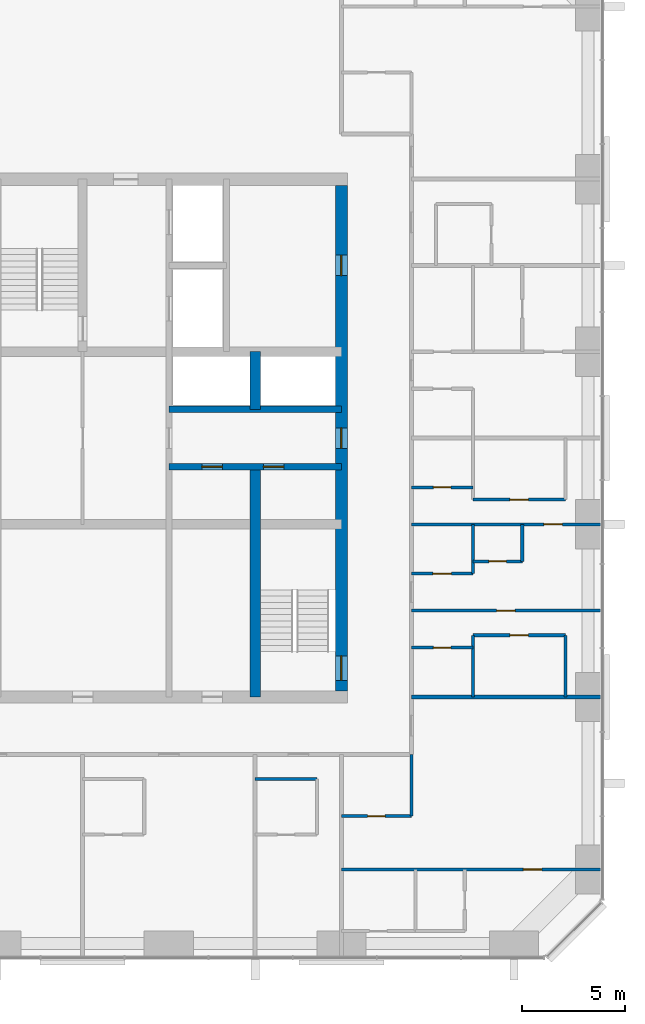
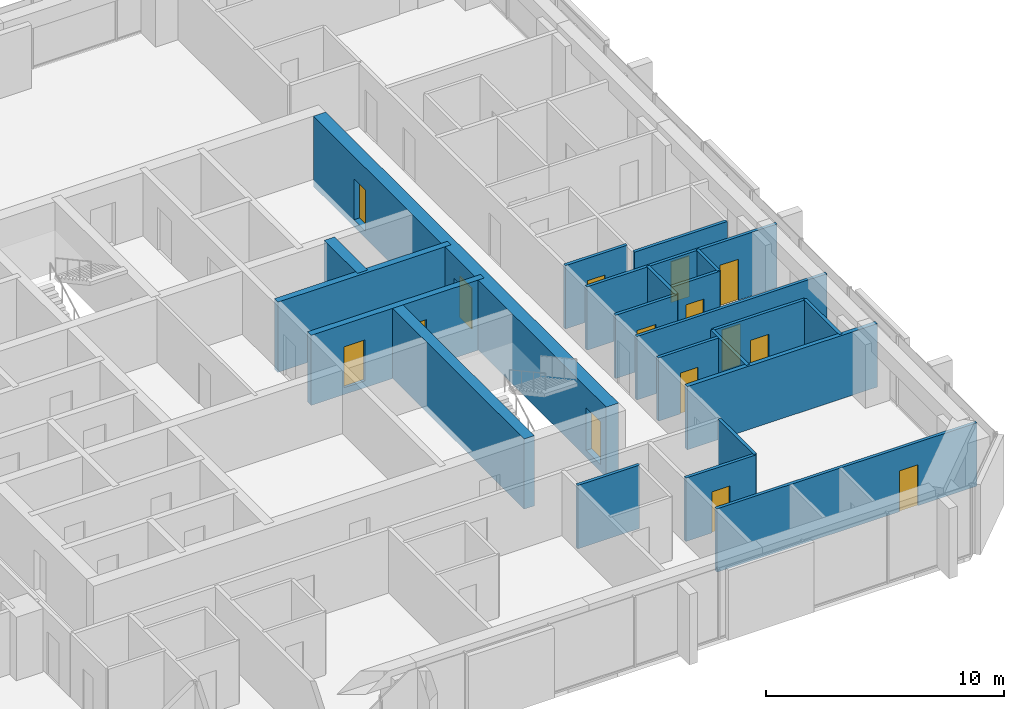
# One storey, part 10 of 13: 22 walls, 15 doors, 15 openings.
"""IFC4 building model written with IfcOpenShell, lengths in metres."""

from ifc_helpers import new_model, si_unit, direction, frame, frame_2d, origin, place, context, subcontext, project, spatial, rectangle, extrude, material, layer, layer_set, type_object, element, fill, save


model = new_model("IFC4")

# Units and contexts
model_context = context("Model", 3, precision=1e-05, world=origin(), true_north=direction((0.0, 1.0)))
body_context = subcontext(model_context, "Body", "Model", "MODEL_VIEW")
ifc_project = project(units=[si_unit("LENGTHUNIT", "METRE"), si_unit("AREAUNIT", "SQUARE_METRE"), si_unit("VOLUMEUNIT", "CUBIC_METRE"), si_unit("PLANEANGLEUNIT", "RADIAN"), si_unit("MASSUNIT", "GRAM", prefix="KILO")], contexts=[model_context])

# Site, building, storey
site_placement = place(None, origin())
site = spatial("IfcSite", under=ifc_project, at=site_placement, CompositionType="ELEMENT")
building_placement = place(site_placement, origin())
building = spatial("IfcBuilding", under=site, at=building_placement, Name="Dunama Terrace Hotel", CompositionType="ELEMENT")
storey_placement = place(building_placement, frame((0.0, 0.0, 191.39990234375)))
storey = spatial("IfcBuildingStorey", under=building, at=storey_placement, Name="L49", CompositionType="ELEMENT", Elevation=191.39990234375)

# Walls
ifc_material_1 = material(Name="Gypsum board partition", Category="masonry")
ifc_layer_1 = layer(ifc_material_1, 0.14990234375)
ifc_layer_set_1 = layer_set([ifc_layer_1], Name="Bathroom partition 150")
wall_type_1 = type_object("IfcWallType", Name="Bathroom partition 150", PredefinedType="PARTITIONING", material=ifc_layer_set_1)
wall_1_placement = place(storey_placement, frame((45.39990234375, 11.0, 0.0), z_axis=(0.0, 0.0, 1.0), x_axis=(0.0, 1.0, 0.0)))
element("IfcWall", 1, at=wall_1_placement, inside=storey, type_object=wall_type_1, Name="Bathroom partition 150 L49", PredefinedType="PARTITIONING", context=body_context, shape_type="SweptSolid", body=[
    extrude(rectangle(XDim=3.0, YDim=0.14990234375, at=frame_2d((1.5, 0.0))), origin(), (0.0, 0.0, 1.0), 3.25),
])
wall_2_placement = place(storey_placement, frame((50.800048828125, 23.39990234375, 0.0), z_axis=(0.0, 0.0, 1.0), x_axis=(0.0, 1.0, 0.0)))
element("IfcWall", 2, at=wall_2_placement, inside=storey, type_object=wall_type_1, Name="Bathroom partition 150 L49", PredefinedType="PARTITIONING", context=body_context, shape_type="SweptSolid", body=[
    extrude(rectangle(XDim=1.800048828125, YDim=0.14990234375, at=frame_2d((0.89990234375, 0.0))), origin(), (0.0, 0.0, 1.0), 3.25),
])

# Wall, opening, door
wall_3_placement = place(storey_placement, frame((42.0, 11.0, 0.0), z_axis=(0.0, 0.0, 1.0), x_axis=(1.0, 0.0, 0.0)))
wall_3 = element("IfcWall", 3, at=wall_3_placement, inside=storey, type_object=wall_type_1, Name="Bathroom partition 150 L49", PredefinedType="PARTITIONING", context=body_context, shape_type="SweptSolid", body=[
    extrude(rectangle(XDim=3.39990234375, YDim=0.14990234375, at=frame_2d((1.699951171875, 0.0))), origin(), (0.0, 0.0, 1.0), 3.25),
])
opening_1_placement = place(wall_3_placement, frame((1.27490234375, 0.0, 0.0)))
opening_1 = element("IfcOpeningElement", 4, at=opening_1_placement, cuts=wall_3, Name="Opening L48-50-045", PredefinedType="OPENING", context=body_context, shape_type="SweptSolid", body=[
    extrude(rectangle(XDim=0.85009765625, YDim=2.10009765625, at=frame_2d((0.425048828125, 1.050048828125))), frame((0.0, 0.0849609375, 0.0), z_axis=(0.0, -1.0, 0.0), x_axis=(1.0, 0.0, 0.0)), (0.0, 0.0, 1.0), 0.169921875),
])
ifc_material_2 = material(Name="Timber door with steel frame", Category="steel")
door_type_1 = type_object("IfcDoorType", Name="Bathroom door 850", OperationType="SINGLE_SWING_LEFT", PredefinedType="DOOR", material=ifc_material_2)
door_1_placement = place(opening_1_placement, origin())
door_1 = element("IfcDoor", 5, at=door_1_placement, inside=storey, type_object=door_type_1, Name="Door to powder room L48-50-045, type D2", OperationType="SINGLE_SWING_LEFT", OverallHeight=2.10009765625, OverallWidth=0.85009765625, PredefinedType="DOOR", context=body_context, shape_type="SweptSolid", body=[
    extrude(rectangle(XDim=0.85009765625, YDim=2.10009765625, at=frame_2d((0.425048828125, 1.050048828125))), frame((0.0, 0.02490234375, 0.0), z_axis=(0.0, -1.0, 0.0), x_axis=(1.0, 0.0, 0.0)), (0.0, 0.0, 1.0), 0.050048828125),
])
fill(opening_1, door_1)

# Wall
wall_4_placement = place(storey_placement, frame((37.800048828125, 12.800048828125, 0.0), z_axis=(0.0, 0.0, 1.0), x_axis=(1.0, 0.0, 0.0)))
element("IfcWall", 6, at=wall_4_placement, inside=storey, type_object=wall_type_1, Name="Bathroom partition 150 L49", PredefinedType="PARTITIONING", context=body_context, shape_type="SweptSolid", body=[
    extrude(rectangle(XDim=3.0, YDim=0.14990234375, at=frame_2d((1.5, 0.0))), origin(), (0.0, 0.0, 1.0), 3.25),
])

# Wall, opening, door
wall_5_placement = place(storey_placement, frame((45.39990234375, 19.199951171875, 0.0), z_axis=(0.0, 0.0, 1.0), x_axis=(1.0, 0.0, 0.0)))
wall_5 = element("IfcWall", 7, at=wall_5_placement, inside=storey, type_object=wall_type_1, Name="Bathroom partition 150 L49", PredefinedType="PARTITIONING", context=body_context, shape_type="SweptSolid", body=[
    extrude(rectangle(XDim=3.0, YDim=0.14990234375, at=frame_2d((1.5, 0.0))), origin(), (0.0, 0.0, 1.0), 3.25),
])
opening_2_placement = place(wall_5_placement, frame((1.074951171875, 0.0, 0.0)))
opening_2 = element("IfcOpeningElement", 8, at=opening_2_placement, cuts=wall_5, Name="Opening L48-50-024", PredefinedType="OPENING", context=body_context, shape_type="SweptSolid", body=[
    extrude(rectangle(XDim=0.85009765625, YDim=2.10009765625, at=frame_2d((0.425048828125, 1.050048828125))), frame((0.0, 0.0849609375, 0.0), z_axis=(0.0, -1.0, 0.0), x_axis=(1.0, 0.0, 0.0)), (0.0, 0.0, 1.0), 0.169921875),
])
door_2_placement = place(opening_2_placement, frame((0.85009765625, 0.0, 0.0), z_axis=(0.0, 0.0, 1.0), x_axis=(-1.0, 0.0, 0.0)))
door_2 = element("IfcDoor", 9, at=door_2_placement, inside=storey, type_object=door_type_1, Name="Door to en-suite bathroom L48-50-024, type D2", OperationType="SINGLE_SWING_RIGHT", OverallHeight=2.10009765625, OverallWidth=0.85009765625, PredefinedType="DOOR", context=body_context, shape_type="SweptSolid", body=[
    extrude(rectangle(XDim=0.85009765625, YDim=2.10009765625, at=frame_2d((0.425048828125, 1.050048828125))), frame((0.0, 0.025146484375, 0.0), z_axis=(0.0, -1.0, 0.0), x_axis=(1.0, 0.0, 0.0)), (0.0, 0.0, 1.0), 0.050048828125),
])
fill(opening_2, door_2)

wall_6_placement = place(storey_placement, frame((48.39990234375, 23.39990234375, 0.0), z_axis=(0.0, 0.0, 1.0), x_axis=(1.0, 0.0, 0.0)))
wall_6 = element("IfcWall", 10, at=wall_6_placement, inside=storey, type_object=wall_type_1, Name="Bathroom partition 150 L49", PredefinedType="PARTITIONING", context=body_context, shape_type="SweptSolid", body=[
    extrude(rectangle(XDim=2.400146484375, YDim=0.14990234375, at=frame_2d((1.2001953125, 0.0))), origin(), (0.0, 0.0, 1.0), 3.25),
])
opening_3_placement = place(wall_6_placement, frame((0.77490234375, 0.0, 0.0)))
opening_3 = element("IfcOpeningElement", 11, at=opening_3_placement, cuts=wall_6, Name="Opening L48-50-019", PredefinedType="OPENING", context=body_context, shape_type="SweptSolid", body=[
    extrude(rectangle(XDim=0.85009765625, YDim=2.10009765625, at=frame_2d((0.425048828125, 1.050048828125))), frame((0.0, 0.0849609375, 0.0), z_axis=(0.0, -1.0, 0.0), x_axis=(1.0, 0.0, 0.0)), (0.0, 0.0, 1.0), 0.169921875),
])
door_3_placement = place(opening_3_placement, origin())
door_3 = element("IfcDoor", 12, at=door_3_placement, inside=storey, type_object=door_type_1, Name="Door to two-bedroom diplomatic residence guest wc L48-50-019, type D2", OperationType="SINGLE_SWING_LEFT", OverallHeight=2.10009765625, OverallWidth=0.85009765625, PredefinedType="DOOR", context=body_context, shape_type="SweptSolid", body=[
    extrude(rectangle(XDim=0.85009765625, YDim=2.10009765625, at=frame_2d((0.425048828125, 1.050048828125))), frame((0.0, 0.02490234375, 0.0), z_axis=(0.0, -1.0, 0.0), x_axis=(1.0, 0.0, 0.0)), (0.0, 0.0, 1.0), 0.050048828125),
])
fill(opening_3, door_3)

wall_7_placement = place(storey_placement, frame((45.39990234375, 27.0, 0.0), z_axis=(0.0, 0.0, 1.0), x_axis=(1.0, 0.0, 0.0)))
wall_7 = element("IfcWall", 13, at=wall_7_placement, inside=storey, type_object=wall_type_1, Name="Bathroom partition 150 L49", PredefinedType="PARTITIONING", context=body_context, shape_type="SweptSolid", body=[
    extrude(rectangle(XDim=3.0, YDim=0.14990234375, at=frame_2d((1.5, 0.0))), origin(), (0.0, 0.0, 1.0), 3.25),
])
opening_4_placement = place(wall_7_placement, frame((1.074951171875, 0.0, 0.0)))
opening_4 = element("IfcOpeningElement", 14, at=opening_4_placement, cuts=wall_7, Name="Opening L48-50-021", PredefinedType="OPENING", context=body_context, shape_type="SweptSolid", body=[
    extrude(rectangle(XDim=0.85009765625, YDim=2.10009765625, at=frame_2d((0.425048828125, 1.050048828125))), frame((0.0, 0.0849609375, 0.0), z_axis=(0.0, -1.0, 0.0), x_axis=(1.0, 0.0, 0.0)), (0.0, 0.0, 1.0), 0.169921875),
])
door_4_placement = place(opening_4_placement, origin())
door_4 = element("IfcDoor", 15, at=door_4_placement, inside=storey, type_object=door_type_1, Name="Door to en-suite bathroom L48-50-021, type D2", OperationType="SINGLE_SWING_LEFT", OverallHeight=2.10009765625, OverallWidth=0.85009765625, PredefinedType="DOOR", context=body_context, shape_type="SweptSolid", body=[
    extrude(rectangle(XDim=0.85009765625, YDim=2.10009765625, at=frame_2d((0.425048828125, 1.050048828125))), frame((0.0, 0.02490234375, 0.0), z_axis=(0.0, -1.0, 0.0), x_axis=(1.0, 0.0, 0.0)), (0.0, 0.0, 1.0), 0.050048828125),
])
fill(opening_4, door_4)

# Wall, openings, doors
ifc_material_3 = material(Name="Concrete C50/60", Category="concrete")
ifc_layer_2 = layer(ifc_material_3, 0.300048828125)
ifc_layer_set_2 = layer_set([ifc_layer_2], Name="Core inner wall 300")
wall_type_2 = type_object("IfcWallType", Name="Core inner wall 300", PredefinedType="SHEAR", material=ifc_layer_set_2)
wall_8_placement = place(storey_placement, frame((33.60009765625, 28.0, -0.349853515625), z_axis=(0.0, 0.0, 1.0), x_axis=(1.0, 0.0, 0.0)))
wall_8 = element("IfcWall", 16, at=wall_8_placement, inside=storey, type_object=wall_type_2, Name="Core inner wall 300 L49", PredefinedType="SHEAR", context=body_context, shape_type="SweptSolid", body=[
    extrude(rectangle(XDim=8.39990234375, YDim=0.300048828125, at=frame_2d((4.199951171875, 0.0))), origin(), (0.0, 0.0, 1.0), 3.599853515625),
])
opening_5_placement = place(wall_8_placement, frame((1.60009765625, 0.0, 0.35009765625)))
opening_5 = element("IfcOpeningElement", 17, at=opening_5_placement, cuts=wall_8, Name="Opening L48-50-069", PredefinedType="OPENING", context=body_context, shape_type="SweptSolid", body=[
    extrude(rectangle(XDim=1.0, YDim=2.10009765625, at=frame_2d((0.5, 1.050048828125))), frame((0.0, 0.159912109375, 0.0), z_axis=(0.0, -1.0, 0.0), x_axis=(1.0, 0.0, 0.0)), (0.0, 0.0, 1.0), 0.320068359375),
])
opening_6_placement = place(wall_8_placement, frame((4.60009765625, 0.0, 0.35009765625)))
opening_6 = element("IfcOpeningElement", 18, at=opening_6_placement, cuts=wall_8, Name="Opening L48-50-070", PredefinedType="OPENING", context=body_context, shape_type="SweptSolid", body=[
    extrude(rectangle(XDim=1.0, YDim=2.10009765625, at=frame_2d((0.5, 1.050048828125))), frame((0.0, 0.159912109375, 0.0), z_axis=(0.0, -1.0, 0.0), x_axis=(1.0, 0.0, 0.0)), (0.0, 0.0, 1.0), 0.320068359375),
])
ifc_material_4 = material(Name="Timber door with steel frame", Category="steel")
door_type_2 = type_object("IfcDoorType", Name="Service door 1000", OperationType="SINGLE_SWING_LEFT", PredefinedType="DOOR", material=ifc_material_4)
door_5_placement = place(opening_5_placement, frame((1.0, 0.0, 0.0), z_axis=(0.0, 0.0, 1.0), x_axis=(-1.0, 0.0, 0.0)))
door_5 = element("IfcDoor", 19, at=door_5_placement, inside=storey, type_object=door_type_2, Name="Door to service riser L48-50-069, type D7", OperationType="SINGLE_SWING_LEFT", OverallHeight=2.10009765625, OverallWidth=1.0, PredefinedType="DOOR", context=body_context, shape_type="SweptSolid", body=[
    extrude(rectangle(XDim=1.0, YDim=2.10009765625, at=frame_2d((0.5, 1.050048828125))), frame((0.0, 0.025146484375, 0.0), z_axis=(0.0, -1.0, 0.0), x_axis=(1.0, 0.0, 0.0)), (0.0, 0.0, 1.0), 0.050048828125),
])
fill(opening_5, door_5)
door_6_placement = place(opening_6_placement, frame((1.0, 0.0, 0.0), z_axis=(0.0, 0.0, 1.0), x_axis=(-1.0, 0.0, 0.0)))
door_6 = element("IfcDoor", 20, at=door_6_placement, inside=storey, type_object=door_type_2, Name="Door to cleaners store L48-50-070, type D7", OperationType="SINGLE_SWING_RIGHT", OverallHeight=2.10009765625, OverallWidth=1.0, PredefinedType="DOOR", context=body_context, shape_type="SweptSolid", body=[
    extrude(rectangle(XDim=1.0, YDim=2.10009765625, at=frame_2d((0.5, 1.050048828125))), frame((0.0, 0.025146484375, 0.0), z_axis=(0.0, -1.0, 0.0), x_axis=(1.0, 0.0, 0.0)), (0.0, 0.0, 1.0), 0.050048828125),
])
fill(opening_6, door_6)

# Walls
wall_9_placement = place(storey_placement, frame((33.60009765625, 30.800048828125, -0.349853515625), z_axis=(0.0, 0.0, 1.0), x_axis=(1.0, 0.0, 0.0)))
element("IfcWall", 21, at=wall_9_placement, inside=storey, type_object=wall_type_2, Name="Core inner wall 300 L49", PredefinedType="SHEAR", context=body_context, shape_type="SweptSolid", body=[
    extrude(rectangle(XDim=8.39990234375, YDim=0.300048828125, at=frame_2d((4.199951171875, 0.0))), origin(), (0.0, 0.0, 1.0), 3.599853515625),
])
ifc_material_5 = material(Name="Concrete C50/60", Category="concrete")
ifc_layer_3 = layer(ifc_material_5, 0.5)
ifc_layer_set_3 = layer_set([ifc_layer_3], Name="Core inner wall 500")
wall_type_3 = type_object("IfcWallType", Name="Core inner wall 500", PredefinedType="SHEAR", material=ifc_layer_set_3)
wall_10_placement = place(storey_placement, frame((37.800048828125, 16.800048828125, -0.349853515625), z_axis=(0.0, 0.0, 1.0), x_axis=(0.0, 1.0, 0.0)))
element("IfcWall", 22, at=wall_10_placement, inside=storey, type_object=wall_type_3, Name="Core inner wall 500 L49", PredefinedType="SHEAR", context=body_context, shape_type="SweptSolid", body=[
    extrude(rectangle(XDim=11.199951171875, YDim=0.5, at=frame_2d((5.60009765625, 0.0))), origin(), (0.0, 0.0, 1.0), 3.599853515625),
])
wall_11_placement = place(storey_placement, frame((37.800048828125, 30.800048828125, -0.349853515625), z_axis=(0.0, 0.0, 1.0), x_axis=(0.0, 1.0, 0.0)))
element("IfcWall", 23, at=wall_11_placement, inside=storey, type_object=wall_type_3, Name="Core inner wall 500 L49", PredefinedType="SHEAR", context=body_context, shape_type="SweptSolid", body=[
    extrude(rectangle(XDim=2.800048828125, YDim=0.5, at=frame_2d((1.39990234375, 0.0))), origin(), (0.0, 0.0, 1.0), 3.599853515625),
])

# Wall, openings, doors
ifc_material_6 = material(Name="Concrete C50/60", Category="concrete")
ifc_layer_4 = layer(ifc_material_6, 0.60009765625)
ifc_layer_set_4 = layer_set([ifc_layer_4], Name="Core wall 600")
wall_type_4 = type_object("IfcWallType", Name="Core wall 600", PredefinedType="SHEAR", material=ifc_layer_set_4)
wall_12_placement = place(storey_placement, frame((42.0, 17.10009765625, -0.349853515625), z_axis=(0.0, 0.0, 1.0), x_axis=(0.0, 1.0, 0.0)))
wall_12 = element("IfcWall", 24, at=wall_12_placement, inside=storey, type_object=wall_type_4, Name="Core wall east L49", PredefinedType="SHEAR", context=body_context, shape_type="SweptSolid", body=[
    extrude(rectangle(XDim=24.599853515625, YDim=0.60009765625, at=frame_2d((12.2998046875, 0.0))), origin(), (0.0, 0.0, 1.0), 3.599853515625),
])
opening_7_placement = place(wall_12_placement, frame((0.5, 0.0, 0.35009765625)))
opening_7 = element("IfcOpeningElement", 25, at=opening_7_placement, cuts=wall_12, Name="Opening L48-50-002", PredefinedType="OPENING", context=body_context, shape_type="SweptSolid", body=[
    extrude(rectangle(XDim=1.199951171875, YDim=2.199951171875, at=frame_2d((0.60009765625, 1.10009765625))), frame((0.0, 0.31005859375, 0.0), z_axis=(0.0, -1.0, 0.0), x_axis=(1.0, 0.0, 0.0)), (0.0, 0.0, 1.0), 0.6201171875),
])
opening_8_placement = place(wall_12_placement, frame((11.800048828125, 0.0, 0.35009765625)))
opening_8 = element("IfcOpeningElement", 26, at=opening_8_placement, cuts=wall_12, Name="Opening L48-50-071", PredefinedType="OPENING", context=body_context, shape_type="SweptSolid", body=[
    extrude(rectangle(XDim=1.0, YDim=2.10009765625, at=frame_2d((0.5, 1.050048828125))), frame((0.0, 0.31005859375, 0.0), z_axis=(0.0, -1.0, 0.0), x_axis=(1.0, 0.0, 0.0)), (0.0, 0.0, 1.0), 0.6201171875),
])
opening_9_placement = place(wall_12_placement, frame((20.199951171875, 0.0, 0.35009765625)))
opening_9 = element("IfcOpeningElement", 27, at=opening_9_placement, cuts=wall_12, Name="Opening L48-50-073", PredefinedType="OPENING", context=body_context, shape_type="SweptSolid", body=[
    extrude(rectangle(XDim=1.0, YDim=2.10009765625, at=frame_2d((0.5, 1.050048828125))), frame((0.0, 0.31005859375, 0.0), z_axis=(0.0, -1.0, 0.0), x_axis=(1.0, 0.0, 0.0)), (0.0, 0.0, 1.0), 0.6201171875),
])
door_7_placement = place(opening_8_placement, origin())
door_7 = element("IfcDoor", 28, at=door_7_placement, inside=storey, type_object=door_type_2, Name="Door to service lobby L48-50-071, type D7", OperationType="SINGLE_SWING_RIGHT", OverallHeight=2.10009765625, OverallWidth=1.0, PredefinedType="DOOR", context=body_context, shape_type="SweptSolid", body=[
    extrude(rectangle(XDim=1.0, YDim=2.10009765625, at=frame_2d((0.5, 1.050048828125))), frame((0.0, 0.02490234375, 0.0), z_axis=(0.0, -1.0, 0.0), x_axis=(1.0, 0.0, 0.0)), (0.0, 0.0, 1.0), 0.050048828125),
])
fill(opening_8, door_7)
door_8_placement = place(opening_9_placement, origin())
door_8 = element("IfcDoor", 29, at=door_8_placement, inside=storey, type_object=door_type_2, Name="Door to guest pantry L48-50-073, type D7", OperationType="SINGLE_SWING_LEFT", OverallHeight=2.10009765625, OverallWidth=1.0, PredefinedType="DOOR", context=body_context, shape_type="SweptSolid", body=[
    extrude(rectangle(XDim=1.0, YDim=2.10009765625, at=frame_2d((0.5, 1.050048828125))), frame((0.0, 0.02490234375, 0.0), z_axis=(0.0, -1.0, 0.0), x_axis=(1.0, 0.0, 0.0)), (0.0, 0.0, 1.0), 0.050048828125),
])
fill(opening_9, door_8)
ifc_material_7 = material(Name="Timber door with steel frame", Category="steel")
door_type_3 = type_object("IfcDoorType", Name="Stair door 1200", OperationType="SINGLE_SWING_LEFT", PredefinedType="DOOR", material=ifc_material_7)
door_9_placement = place(opening_7_placement, origin())
door_9 = element("IfcDoor", 30, at=door_9_placement, inside=storey, type_object=door_type_3, Name="Stair door ST2 L48-50-002, type D5", OperationType="SINGLE_SWING_LEFT", OverallHeight=2.199951171875, OverallWidth=1.199951171875, PredefinedType="DOOR", context=body_context, shape_type="SweptSolid", body=[
    extrude(rectangle(XDim=1.199951171875, YDim=2.199951171875, at=frame_2d((0.60009765625, 1.10009765625))), frame((0.0, 0.02490234375, 0.0), z_axis=(0.0, -1.0, 0.0), x_axis=(1.0, 0.0, 0.0)), (0.0, 0.0, 1.0), 0.050048828125),
])
fill(opening_7, door_9)

# Walls
ifc_material_8 = material(Name="Concrete blockwork", Category="masonry")
ifc_layer_5 = layer(ifc_material_8, 0.199951171875)
ifc_layer_set_5 = layer_set([ifc_layer_5], Name="Party wall 200")
wall_type_5 = type_object("IfcWallType", Name="Party wall 200", PredefinedType="PARTITIONING", material=ifc_layer_set_5)
wall_13_placement = place(storey_placement, frame((45.39990234375, 16.800048828125, 0.0), z_axis=(0.0, 0.0, 1.0), x_axis=(1.0, 0.0, 0.0)))
element("IfcWall", 31, at=wall_13_placement, inside=storey, type_object=wall_type_5, Name="Party wall 200 L49", PredefinedType="PARTITIONING", context=body_context, shape_type="SweptSolid", body=[
    extrude(rectangle(XDim=9.218017578125, YDim=0.199951171875, at=frame_2d((4.60888671875, 0.0))), origin(), (0.0, 0.0, 1.0), 3.25),
])
ifc_material_9 = material(Name="Gypsum board partition", Category="masonry")
ifc_layer_6 = layer(ifc_material_9, 0.14990234375)
ifc_layer_set_6 = layer_set([ifc_layer_6], Name="Room partition 150")
wall_type_6 = type_object("IfcWallType", Name="Room partition 150", PredefinedType="PARTITIONING", material=ifc_layer_set_6)
wall_14_placement = place(storey_placement, frame((48.39990234375, 16.800048828125, 0.0), z_axis=(0.0, 0.0, 1.0), x_axis=(0.0, 1.0, 0.0)))
element("IfcWall", 32, at=wall_14_placement, inside=storey, type_object=wall_type_6, Name="Room partition 150 L49", PredefinedType="PARTITIONING", context=body_context, shape_type="SweptSolid", body=[
    extrude(rectangle(XDim=3.0, YDim=0.14990234375, at=frame_2d((1.5, 0.0))), origin(), (0.0, 0.0, 1.0), 3.25),
])
wall_15_placement = place(storey_placement, frame((48.39990234375, 22.800048828125, 0.0), z_axis=(0.0, 0.0, 1.0), x_axis=(0.0, 1.0, 0.0)))
element("IfcWall", 33, at=wall_15_placement, inside=storey, type_object=wall_type_6, Name="Room partition 150 L49", PredefinedType="PARTITIONING", context=body_context, shape_type="SweptSolid", body=[
    extrude(rectangle(XDim=2.39990234375, YDim=0.14990234375, at=frame_2d((1.199951171875, 0.0))), origin(), (0.0, 0.0, 1.0), 3.25),
])
wall_16_placement = place(storey_placement, frame((52.89990234375, 16.800048828125, 0.0), z_axis=(0.0, 0.0, 1.0), x_axis=(0.0, 1.0, 0.0)))
element("IfcWall", 34, at=wall_16_placement, inside=storey, type_object=wall_type_6, Name="Room partition 150 L49", PredefinedType="PARTITIONING", context=body_context, shape_type="SweptSolid", body=[
    extrude(rectangle(XDim=3.0, YDim=0.14990234375, at=frame_2d((1.5, 0.0))), origin(), (0.0, 0.0, 1.0), 3.25),
])

# Wall, opening, door
wall_17_placement = place(storey_placement, frame((42.0, 8.39990234375, 0.0), z_axis=(0.0, 0.0, 1.0), x_axis=(1.0, 0.0, 0.0)))
wall_17 = element("IfcWall", 35, at=wall_17_placement, inside=storey, type_object=wall_type_6, Name="Room partition 150 L49", PredefinedType="PARTITIONING", context=body_context, shape_type="SweptSolid", body=[
    extrude(rectangle(XDim=12.617919921875, YDim=0.14990234375, at=frame_2d((6.30908203125, 0.0))), origin(), (0.0, 0.0, 1.0), 3.25),
])
opening_10_placement = place(wall_17_placement, frame((8.85009765625, 0.0, 0.0)))
opening_10 = element("IfcOpeningElement", 36, at=opening_10_placement, cuts=wall_17, Name="Opening L48-50-046", PredefinedType="OPENING", context=body_context, shape_type="SweptSolid", body=[
    extrude(rectangle(XDim=0.89990234375, YDim=2.10009765625, at=frame_2d((0.449951171875, 1.050048828125))), frame((0.0, 0.0849609375, 0.0), z_axis=(0.0, -1.0, 0.0), x_axis=(1.0, 0.0, 0.0)), (0.0, 0.0, 1.0), 0.169921875),
])
ifc_material_10 = material(Name="Timber door with steel frame", Category="steel")
door_type_4 = type_object("IfcDoorType", Name="Suite internal door 900", OperationType="SINGLE_SWING_LEFT", PredefinedType="DOOR", material=ifc_material_10)
door_10_placement = place(opening_10_placement, frame((0.89990234375, 0.0, 0.0), z_axis=(0.0, 0.0, 1.0), x_axis=(-1.0, 0.0, 0.0)))
door_10 = element("IfcDoor", 37, at=door_10_placement, inside=storey, type_object=door_type_4, Name="Door to corner suite bedroom L48-50-046, type D16", OperationType="SINGLE_SWING_LEFT", OverallHeight=2.10009765625, OverallWidth=0.89990234375, PredefinedType="DOOR", context=body_context, shape_type="SweptSolid", body=[
    extrude(rectangle(XDim=0.89990234375, YDim=2.10009765625, at=frame_2d((0.449951171875, 1.050048828125))), frame((0.0, 0.025146484375, 0.0), z_axis=(0.0, -1.0, 0.0), x_axis=(1.0, 0.0, 0.0)), (0.0, 0.0, 1.0), 0.050048828125),
])
fill(opening_10, door_10)

wall_18_placement = place(storey_placement, frame((48.39990234375, 19.800048828125, 0.0), z_axis=(0.0, 0.0, 1.0), x_axis=(1.0, 0.0, 0.0)))
wall_18 = element("IfcWall", 38, at=wall_18_placement, inside=storey, type_object=wall_type_6, Name="Room partition 150 L49", PredefinedType="PARTITIONING", context=body_context, shape_type="SweptSolid", body=[
    extrude(rectangle(XDim=4.5, YDim=0.14990234375, at=frame_2d((2.25, 0.0))), origin(), (0.0, 0.0, 1.0), 3.25),
])
opening_11_placement = place(wall_18_placement, frame((1.800048828125, 0.0, 0.0)))
opening_11 = element("IfcOpeningElement", 39, at=opening_11_placement, cuts=wall_18, Name="Opening L48-50-025", PredefinedType="OPENING", context=body_context, shape_type="SweptSolid", body=[
    extrude(rectangle(XDim=0.89990234375, YDim=2.10009765625, at=frame_2d((0.449951171875, 1.050048828125))), frame((0.0, 0.0849609375, 0.0), z_axis=(0.0, -1.0, 0.0), x_axis=(1.0, 0.0, 0.0)), (0.0, 0.0, 1.0), 0.169921875),
])
door_11_placement = place(opening_11_placement, frame((0.89990234375, 0.0, 0.0), z_axis=(0.0, 0.0, 1.0), x_axis=(-1.0, 0.0, 0.0)))
door_11 = element("IfcDoor", 40, at=door_11_placement, inside=storey, type_object=door_type_4, Name="Door to walk-in wardrobe L48-50-025, type D16", OperationType="SINGLE_SWING_RIGHT", OverallHeight=2.10009765625, OverallWidth=0.89990234375, PredefinedType="DOOR", context=body_context, shape_type="SweptSolid", body=[
    extrude(rectangle(XDim=0.89990234375, YDim=2.10009765625, at=frame_2d((0.449951171875, 1.050048828125))), frame((0.0, 0.025146484375, 0.0), z_axis=(0.0, -1.0, 0.0), x_axis=(1.0, 0.0, 0.0)), (0.0, 0.0, 1.0), 0.050048828125),
])
fill(opening_11, door_11)

wall_19_placement = place(storey_placement, frame((45.39990234375, 21.0, 0.0), z_axis=(0.0, 0.0, 1.0), x_axis=(1.0, 0.0, 0.0)))
wall_19 = element("IfcWall", 41, at=wall_19_placement, inside=storey, type_object=wall_type_6, Name="Room partition 150 L49", PredefinedType="PARTITIONING", context=body_context, shape_type="SweptSolid", body=[
    extrude(rectangle(XDim=9.218017578125, YDim=0.14990234375, at=frame_2d((4.60888671875, 0.0))), origin(), (0.0, 0.0, 1.0), 3.25),
])
opening_12_placement = place(wall_19_placement, frame((4.14990234375, 0.0, 0.0)))
opening_12 = element("IfcOpeningElement", 42, at=opening_12_placement, cuts=wall_19, Name="Opening L48-50-023", PredefinedType="OPENING", context=body_context, shape_type="SweptSolid", body=[
    extrude(rectangle(XDim=0.89990234375, YDim=2.10009765625, at=frame_2d((0.449951171875, 1.050048828125))), frame((0.0, 0.0849609375, 0.0), z_axis=(0.0, -1.0, 0.0), x_axis=(1.0, 0.0, 0.0)), (0.0, 0.0, 1.0), 0.169921875),
])
door_12_placement = place(opening_12_placement, frame((0.89990234375, 0.0, 0.0), z_axis=(0.0, 0.0, 1.0), x_axis=(-1.0, 0.0, 0.0)))
door_12 = element("IfcDoor", 43, at=door_12_placement, inside=storey, type_object=door_type_4, Name="Door to two-bedroom diplomatic residence second bedroom L48-50-023, type D16", OperationType="SINGLE_SWING_RIGHT", OverallHeight=2.10009765625, OverallWidth=0.89990234375, PredefinedType="DOOR", context=body_context, shape_type="SweptSolid", body=[
    extrude(rectangle(XDim=0.89990234375, YDim=2.10009765625, at=frame_2d((0.449951171875, 1.050048828125))), frame((0.0, 0.025146484375, 0.0), z_axis=(0.0, -1.0, 0.0), x_axis=(1.0, 0.0, 0.0)), (0.0, 0.0, 1.0), 0.050048828125),
])
fill(opening_12, door_12)

wall_20_placement = place(storey_placement, frame((45.39990234375, 22.800048828125, 0.0), z_axis=(0.0, 0.0, 1.0), x_axis=(1.0, 0.0, 0.0)))
wall_20 = element("IfcWall", 44, at=wall_20_placement, inside=storey, type_object=wall_type_6, Name="Room partition 150 L49", PredefinedType="PARTITIONING", context=body_context, shape_type="SweptSolid", body=[
    extrude(rectangle(XDim=3.0, YDim=0.14990234375, at=frame_2d((1.5, 0.0))), origin(), (0.0, 0.0, 1.0), 3.25),
])
opening_13_placement = place(wall_20_placement, frame((1.050048828125, 0.0, 0.0)))
opening_13 = element("IfcOpeningElement", 45, at=opening_13_placement, cuts=wall_20, Name="Opening L48-50-018", PredefinedType="OPENING", context=body_context, shape_type="SweptSolid", body=[
    extrude(rectangle(XDim=0.89990234375, YDim=2.10009765625, at=frame_2d((0.449951171875, 1.050048828125))), frame((0.0, 0.0849609375, 0.0), z_axis=(0.0, -1.0, 0.0), x_axis=(1.0, 0.0, 0.0)), (0.0, 0.0, 1.0), 0.169921875),
])
door_13_placement = place(opening_13_placement, origin())
door_13 = element("IfcDoor", 46, at=door_13_placement, inside=storey, type_object=door_type_4, Name="Door to two-bedroom diplomatic residence kitchen L48-50-018, type D16", OperationType="SINGLE_SWING_LEFT", OverallHeight=2.10009765625, OverallWidth=0.89990234375, PredefinedType="DOOR", context=body_context, shape_type="SweptSolid", body=[
    extrude(rectangle(XDim=0.89990234375, YDim=2.10009765625, at=frame_2d((0.449951171875, 1.050048828125))), frame((0.0, 0.02490234375, 0.0), z_axis=(0.0, -1.0, 0.0), x_axis=(1.0, 0.0, 0.0)), (0.0, 0.0, 1.0), 0.050048828125),
])
fill(opening_13, door_13)

wall_21_placement = place(storey_placement, frame((45.39990234375, 25.199951171875, 0.0), z_axis=(0.0, 0.0, 1.0), x_axis=(1.0, 0.0, 0.0)))
wall_21 = element("IfcWall", 47, at=wall_21_placement, inside=storey, type_object=wall_type_6, Name="Room partition 150 L49", PredefinedType="PARTITIONING", context=body_context, shape_type="SweptSolid", body=[
    extrude(rectangle(XDim=9.218017578125, YDim=0.14990234375, at=frame_2d((4.60888671875, 0.0))), origin(), (0.0, 0.0, 1.0), 3.25),
])
opening_14_placement = place(wall_21_placement, frame((6.449951171875, 0.0, 0.0)))
opening_14 = element("IfcOpeningElement", 48, at=opening_14_placement, cuts=wall_21, Name="Opening L48-50-020", PredefinedType="OPENING", context=body_context, shape_type="SweptSolid", body=[
    extrude(rectangle(XDim=0.89990234375, YDim=2.10009765625, at=frame_2d((0.449951171875, 1.050048828125))), frame((0.0, 0.0849609375, 0.0), z_axis=(0.0, -1.0, 0.0), x_axis=(1.0, 0.0, 0.0)), (0.0, 0.0, 1.0), 0.169921875),
])
door_14_placement = place(opening_14_placement, origin())
door_14 = element("IfcDoor", 49, at=door_14_placement, inside=storey, type_object=door_type_4, Name="Door to two-bedroom diplomatic residence bedroom L48-50-020, type D16", OperationType="SINGLE_SWING_RIGHT", OverallHeight=2.10009765625, OverallWidth=0.89990234375, PredefinedType="DOOR", context=body_context, shape_type="SweptSolid", body=[
    extrude(rectangle(XDim=0.89990234375, YDim=2.10009765625, at=frame_2d((0.449951171875, 1.050048828125))), frame((0.0, 0.02490234375, 0.0), z_axis=(0.0, -1.0, 0.0), x_axis=(1.0, 0.0, 0.0)), (0.0, 0.0, 1.0), 0.050048828125),
])
fill(opening_14, door_14)

wall_22_placement = place(storey_placement, frame((48.39990234375, 26.39990234375, 0.0), z_axis=(0.0, 0.0, 1.0), x_axis=(1.0, 0.0, 0.0)))
wall_22 = element("IfcWall", 50, at=wall_22_placement, inside=storey, type_object=wall_type_6, Name="Room partition 150 L49", PredefinedType="PARTITIONING", context=body_context, shape_type="SweptSolid", body=[
    extrude(rectangle(XDim=4.5, YDim=0.14990234375, at=frame_2d((2.25, 0.0))), origin(), (0.0, 0.0, 1.0), 3.25),
])
opening_15_placement = place(wall_22_placement, frame((1.800048828125, 0.0, 0.0)))
opening_15 = element("IfcOpeningElement", 51, at=opening_15_placement, cuts=wall_22, Name="Opening L48-50-022", PredefinedType="OPENING", context=body_context, shape_type="SweptSolid", body=[
    extrude(rectangle(XDim=0.89990234375, YDim=2.10009765625, at=frame_2d((0.449951171875, 1.050048828125))), frame((0.0, 0.0849609375, 0.0), z_axis=(0.0, -1.0, 0.0), x_axis=(1.0, 0.0, 0.0)), (0.0, 0.0, 1.0), 0.169921875),
])
door_15_placement = place(opening_15_placement, origin())
door_15 = element("IfcDoor", 52, at=door_15_placement, inside=storey, type_object=door_type_4, Name="Door to walk-in wardrobe L48-50-022, type D16", OperationType="SINGLE_SWING_LEFT", OverallHeight=2.10009765625, OverallWidth=0.89990234375, PredefinedType="DOOR", context=body_context, shape_type="SweptSolid", body=[
    extrude(rectangle(XDim=0.89990234375, YDim=2.10009765625, at=frame_2d((0.449951171875, 1.050048828125))), frame((0.0, 0.02490234375, 0.0), z_axis=(0.0, -1.0, 0.0), x_axis=(1.0, 0.0, 0.0)), (0.0, 0.0, 1.0), 0.050048828125),
])
fill(opening_15, door_15)

save(model, "model.ifc")
